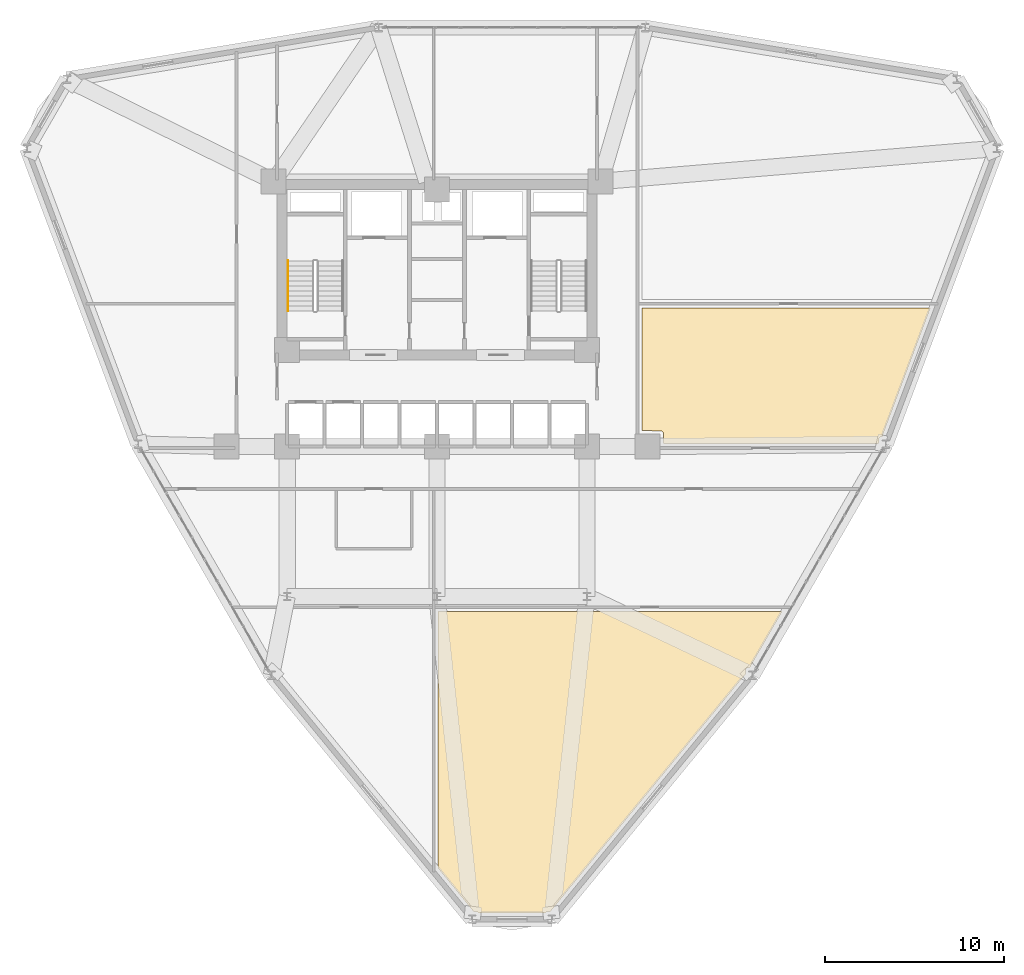
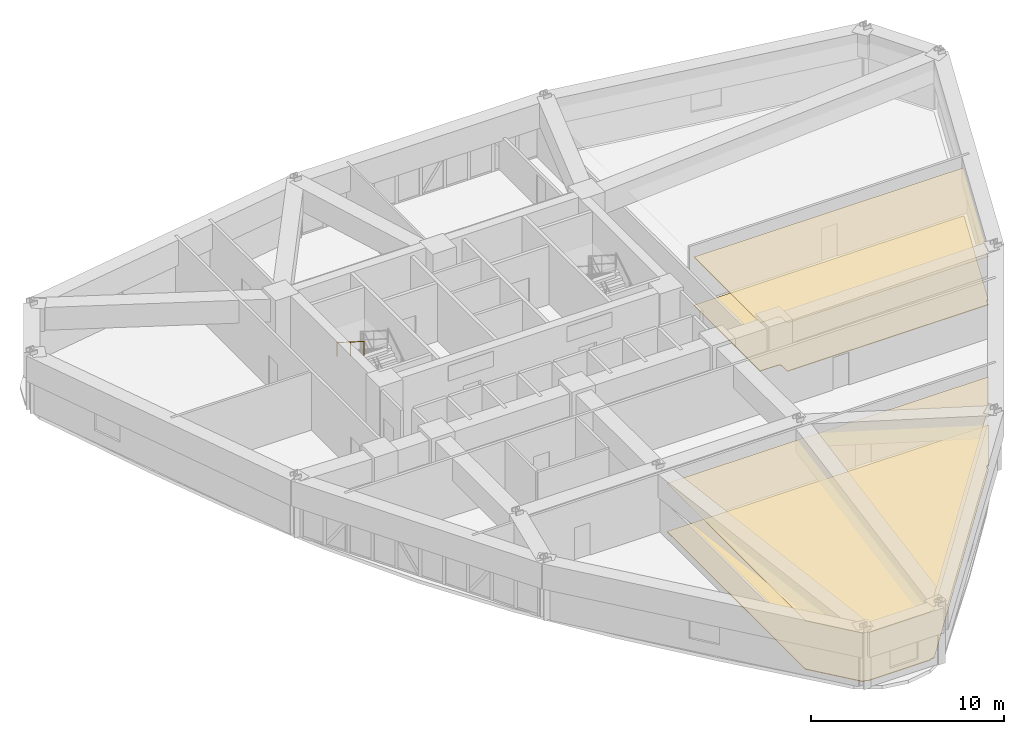
# One storey, part 16 of 17: 4 coverings, 1 railing.
"""IFC4 building model written with IfcOpenShell, lengths in metres."""

from ifc_helpers import new_model, si_unit, derived_unit, direction, frame, origin, origin_2d, place, context, subcontext, project, spatial, polyline, circle, outline, extrude, material, layer, layer_set, type_object, element, save


model = new_model("IFC4")

# Units and contexts
model_context = context("Model", 3, precision=1e-05, world=origin(), true_north=direction((0.0, 1.0)))
body_context = subcontext(model_context, "Body", "Model", "MODEL_VIEW")
ifc_project = project(units=[si_unit("LENGTHUNIT", "METRE"), si_unit("AREAUNIT", "SQUARE_METRE"), si_unit("VOLUMEUNIT", "CUBIC_METRE"), si_unit("PLANEANGLEUNIT", "RADIAN"), si_unit("MASSUNIT", "GRAM", prefix="KILO"), derived_unit("THERMALTRANSMITTANCEUNIT", [(si_unit("POWERUNIT", "WATT"), 1), (si_unit("LENGTHUNIT", "METRE"), -2), (si_unit("THERMODYNAMICTEMPERATUREUNIT", "KELVIN"), -1)])], contexts=[model_context])

# Site, building, storey
site_placement = place(None, origin())
site = spatial("IfcSite", under=ifc_project, at=site_placement, CompositionType="ELEMENT")
building_placement = place(site_placement, origin())
building = spatial("IfcBuilding", under=site, at=building_placement, Name="Korsvarv Bourse and Concert Hall", CompositionType="ELEMENT")
storey_placement = place(building_placement, frame((0.0, 0.0, 83.39990234375)))
storey = spatial("IfcBuildingStorey", under=building, at=storey_placement, Name="L20", CompositionType="ELEMENT", Elevation=83.39990234375)

# Coverings
ifc_material_1 = material(Name="Perforated mineral-wool and birch acoustic baffle ceiling", Category="wood")
ifc_layer_1 = layer(ifc_material_1, 0.02490234375)
ifc_layer_set_1 = layer_set([ifc_layer_1], Name="Perforated mineral-wool and birch acoustic baffle ceiling")
covering_type_1 = type_object("IfcCoveringType", Name="COV-CEIL-1", PredefinedType="CEILING", material=ifc_layer_set_1)
covering_1_placement = place(storey_placement, frame((0.0, 0.0, 3.06005859375)))
element("IfcCovering", 1, at=covering_1_placement, inside=storey, type_object=covering_type_1, Name="L20 acoustic baffle ceiling 2", PredefinedType="CEILING", context=body_context, shape_type="SweptSolid", body=[
    extrude(outline(polyline([(55.32958984375, 23.14990234375), (53.525634765625, 20.025146484375), (53.459716796875, 20.025146484375), (53.42529296875, 20.021728515625), (53.392333984375, 20.011962890625), (53.36181640625, 19.99609375), (53.334716796875, 19.974853515625), (53.312255859375, 19.948486328125), (53.29541015625, 19.918701171875), (53.2841796875, 19.885986328125), (53.27978515625, 19.851806640625), (53.27197265625, 19.6474609375), (42.344970703125, 6.352783203125), (42.22216796875, 6.352783203125), (42.1875, 6.349365234375), (42.154052734375, 6.33935546875), (42.123291015625, 6.322998046875), (42.095947265625, 6.30126953125), (42.073486328125, 6.2744140625), (38.335205078125, 6.265869140625), (38.318115234375, 6.287109375), (38.2919921875, 6.3095703125), (38.262451171875, 6.32666015625), (38.22998046875, 6.337890625), (38.196044921875, 6.342529296875), (38.05810546875, 6.348876953125), (36.050048828125, 8.792236328125), (36.050048828125, 23.14990234375), (55.32958984375, 23.14990234375)])), origin(), (0.0, 0.0, 1.0), 0.025146484375),
])
covering_2_placement = place(storey_placement, frame((0.0, 0.0, 3.06005859375)))
element("IfcCovering", 2, at=covering_2_placement, inside=storey, type_object=covering_type_1, Name="L20 acoustic baffle ceiling 3", PredefinedType="CEILING", context=body_context, shape_type="SweptSolid", body=[
    extrude(outline(polyline([(48.68994140625, 32.570068359375), (48.68994140625, 33.10009765625), (48.6865234375, 33.135009765625), (48.676513671875, 33.16845703125), (48.659912109375, 33.199462890625), (48.6376953125, 33.226806640625), (48.61083984375, 33.2490234375), (48.579833984375, 33.265869140625), (48.54638671875, 33.2763671875), (48.511474609375, 33.280029296875), (47.47998046875, 33.28857421875), (47.47998046875, 40.14990234375), (63.63720703125, 40.14990234375), (60.9375, 32.961181640625), (60.910888671875, 32.96044921875), (60.877197265625, 32.953857421875), (60.844970703125, 32.94091796875), (60.816162109375, 32.921875), (60.791259765625, 32.89794921875), (60.771484375, 32.869384765625), (60.757568359375, 32.837890625), (60.749755859375, 32.80419921875), (60.741455078125, 32.5693359375), (48.68994140625, 32.570068359375)])), origin(), (0.0, 0.0, 1.0), 0.025146484375),
])
ifc_material_2 = material(Name="Calcium-sulphate raised access trading floor with Nordic oak top", Category="wood")
ifc_layer_2 = layer(ifc_material_2, 0.0400390625)
ifc_layer_set_2 = layer_set([ifc_layer_2], Name="Calcium-sulphate raised access trading floor with Nordic oak top")
covering_type_2 = type_object("IfcCoveringType", Name="COV-FLOR-1", PredefinedType="FLOORING", material=ifc_layer_set_2)
covering_3_placement = place(storey_placement, origin())
element("IfcCovering", 3, at=covering_3_placement, inside=storey, type_object=covering_type_2, Name="L20 raised access oak floor finish 2", PredefinedType="FLOORING", context=body_context, shape_type="SweptSolid", body=[
    extrude(outline(polyline([(55.32958984375, 23.14990234375), (53.525634765625, 20.025146484375), (53.459716796875, 20.025146484375), (53.42529296875, 20.021728515625), (53.392333984375, 20.011962890625), (53.36181640625, 19.99609375), (53.334716796875, 19.974853515625), (53.312255859375, 19.948486328125), (53.29541015625, 19.918701171875), (53.2841796875, 19.885986328125), (53.27978515625, 19.851806640625), (53.27197265625, 19.6474609375), (42.344970703125, 6.352783203125), (42.22216796875, 6.352783203125), (42.1875, 6.349365234375), (42.154052734375, 6.33935546875), (42.123291015625, 6.322998046875), (42.095947265625, 6.30126953125), (42.073486328125, 6.2744140625), (38.335205078125, 6.265869140625), (38.318115234375, 6.287109375), (38.2919921875, 6.3095703125), (38.262451171875, 6.32666015625), (38.22998046875, 6.337890625), (38.196044921875, 6.342529296875), (38.05810546875, 6.348876953125), (36.050048828125, 8.792236328125), (36.050048828125, 23.14990234375), (55.32958984375, 23.14990234375)])), origin(), (0.0, 0.0, 1.0), 0.0400390625),
])
covering_4_placement = place(storey_placement, origin())
element("IfcCovering", 4, at=covering_4_placement, inside=storey, type_object=covering_type_2, Name="L20 raised access oak floor finish 3", PredefinedType="FLOORING", context=body_context, shape_type="SweptSolid", body=[
    extrude(outline(polyline([(48.68994140625, 32.570068359375), (48.68994140625, 33.10009765625), (48.6865234375, 33.135009765625), (48.676513671875, 33.16845703125), (48.659912109375, 33.199462890625), (48.6376953125, 33.226806640625), (48.61083984375, 33.2490234375), (48.579833984375, 33.265869140625), (48.54638671875, 33.2763671875), (48.511474609375, 33.280029296875), (47.47998046875, 33.28857421875), (47.47998046875, 40.14990234375), (63.63720703125, 40.14990234375), (60.9375, 32.961181640625), (60.910888671875, 32.96044921875), (60.877197265625, 32.953857421875), (60.844970703125, 32.94091796875), (60.816162109375, 32.921875), (60.791259765625, 32.89794921875), (60.771484375, 32.869384765625), (60.757568359375, 32.837890625), (60.749755859375, 32.80419921875), (60.741455078125, 32.5693359375), (48.68994140625, 32.570068359375)])), origin(), (0.0, 0.0, 1.0), 0.0400390625),
])

# Railing
ifc_material_3 = material(Name="Brushed stainless Steel S355 tubular handrail", Category="steel")
railing_type = type_object("IfcRailingType", Name="RL-ST-HND", PredefinedType="HANDRAIL", material=ifc_material_3)
railing_placement = place(storey_placement, frame((27.64990234375, 42.800048828125, 2.12744140625)))
element("IfcRailing", 5, at=railing_placement, inside=storey, type_object=railing_type, Name="L20 ST-T1 stair handrail 2", PredefinedType="HANDRAIL", context=body_context, shape_type="SweptSolid", body=[
    extrude(circle(Radius=0.02392578125, at=origin_2d()), frame((0.0, 0.0, 0.8759765625), z_axis=(0.0, -0.844908973607, 0.534910110503), x_axis=(1.0, 0.0, 0.0)), (0.0, 0.0, 1.0), 3.31396484375),
    extrude(circle(Radius=0.02099609375, at=origin_2d()), origin(), (0.0, 0.0, 1.0), 0.851806640625),
    extrude(circle(Radius=0.02099609375, at=origin_2d()), frame((0.0, -1.39990234375, 0.88623046875)), (0.0, 0.0, 1.0), 0.851806640625),
    extrude(circle(Radius=0.02099609375, at=origin_2d()), frame((0.0, -2.800048828125, 1.772705078125)), (0.0, 0.0, 1.0), 0.851806640625),
])

save(model, "model.ifc")
